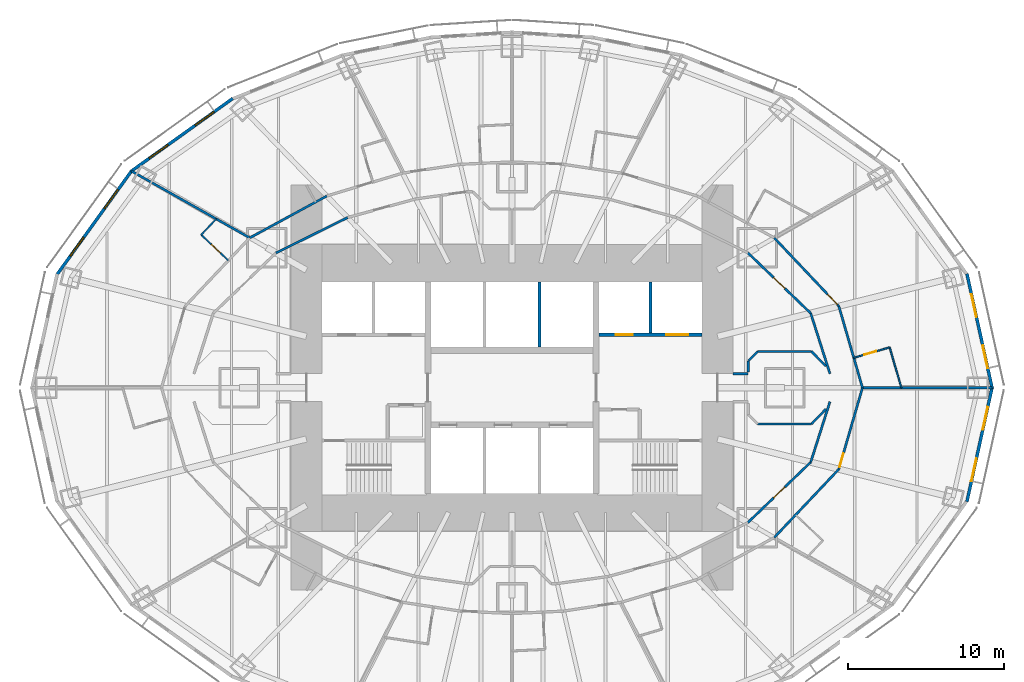
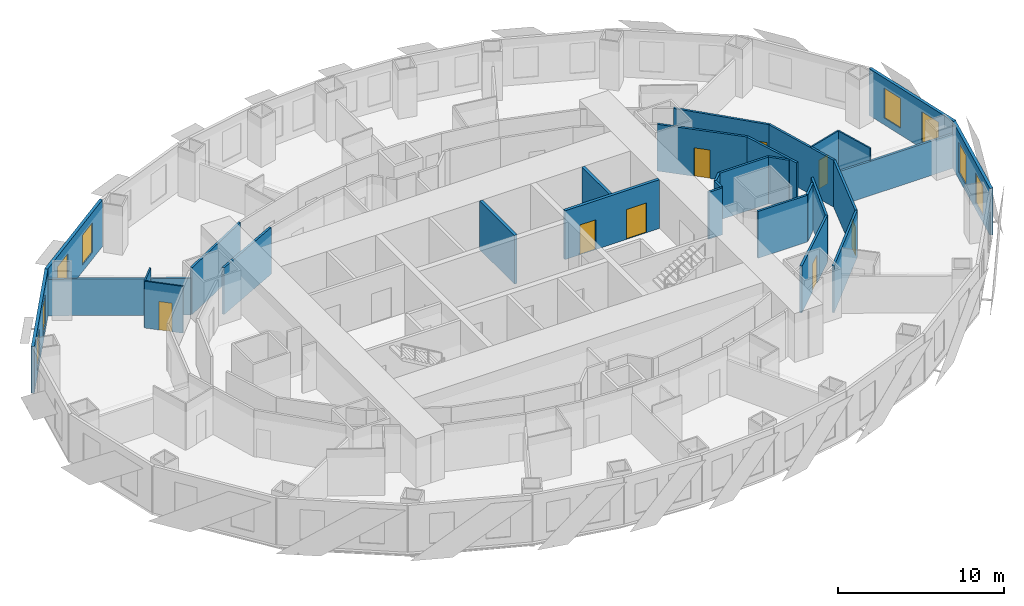
# One storey, part 8 of 15: 30 walls, 8 doors, 8 windows, 16 openings.
"""IFC4 building model written with IfcOpenShell, lengths in metres."""

from ifc_helpers import new_model, si_unit, direction, frame, frame_2d, origin, place, context, subcontext, project, spatial, rectangle, extrude, material, layer, layer_set, type_object, element, fill, save


model = new_model("IFC4")

# Units and contexts
model_context = context("Model", 3, precision=1e-05, world=origin(), true_north=direction((0.0, 1.0)))
body_context = subcontext(model_context, "Body", "Model", "MODEL_VIEW")
ifc_project = project(units=[si_unit("LENGTHUNIT", "METRE"), si_unit("AREAUNIT", "SQUARE_METRE"), si_unit("VOLUMEUNIT", "CUBIC_METRE"), si_unit("PLANEANGLEUNIT", "RADIAN"), si_unit("MASSUNIT", "GRAM", prefix="KILO")], contexts=[model_context])

# Site, building, storey
site_placement = place(None, origin())
site = spatial("IfcSite", under=ifc_project, at=site_placement, CompositionType="ELEMENT")
building_placement = place(site_placement, origin())
building = spatial("IfcBuilding", under=site, at=building_placement, Name="Lantaw Convention Tower", CompositionType="ELEMENT")
storey_placement = place(building_placement, frame((0.0, 0.0, 83.800048828125)))
storey = spatial("IfcBuildingStorey", under=building, at=storey_placement, Name="L19", CompositionType="ELEMENT", Elevation=83.800048828125)

# Wall, opening, door
ifc_material_1 = material(Name="Moisture resistant gypsum board on steel studs", Category="steel")
ifc_layer_1 = layer(ifc_material_1, 0.10009765625)
ifc_layer_set_1 = layer_set([ifc_layer_1], Name="Bathroom wall 100")
wall_type_1 = type_object("IfcWallType", Name="Bathroom wall 100", PredefinedType="PARTITIONING", material=ifc_layer_set_1)
wall_1_placement = place(storey_placement, frame((21.943359375, 1.9208984375, 0.0), z_axis=(0.0, 0.0, 1.0), x_axis=(0.960496317326, 0.278292695563, 0.0)))
wall_1 = element("IfcWall", 1, at=wall_1_placement, inside=storey, type_object=wall_type_1, Name="Bathroom wall 100", PredefinedType="PARTITIONING", context=body_context, shape_type="SweptSolid", body=[
    extrude(rectangle(XDim=2.400146484375, YDim=0.10009765625, at=frame_2d((1.2001953125, 0.0))), origin(), (0.0, 0.0, 1.0), 3.449951171875),
])
opening_1_placement = place(wall_1_placement, frame((0.699951171875, 0.0, 0.0)))
opening_1 = element("IfcOpeningElement", 2, at=opening_1_placement, cuts=wall_1, Name="Opening L19.25", PredefinedType="OPENING", context=body_context, shape_type="SweptSolid", body=[
    extrude(rectangle(XDim=0.800048828125, YDim=2.10009765625, at=frame_2d((0.39990234375, 1.050048828125))), frame((0.0, 0.06005859375, 0.0), z_axis=(0.0, -1.0, 0.0), x_axis=(1.0, 0.0, 0.0)), (0.0, 0.0, 1.0), 0.1201171875),
])
ifc_material_2 = material(Name="Timber", Category="wood")
door_type_1 = type_object("IfcDoorType", Name="Bathroom door 800", OperationType="SINGLE_SWING_LEFT", PredefinedType="DOOR", material=ifc_material_2)
door_1_placement = place(opening_1_placement, origin())
door_1 = element("IfcDoor", 3, at=door_1_placement, inside=storey, type_object=door_type_1, Name="Bathroom door", OperationType="SINGLE_SWING_LEFT", OverallHeight=2.10009765625, OverallWidth=0.800048828125, PredefinedType="DOOR", context=body_context, shape_type="SweptSolid", body=[
    extrude(rectangle(XDim=0.800048828125, YDim=2.10009765625, at=frame_2d((0.39990234375, 1.050048828125))), frame((0.0, 0.02490234375, 0.0), z_axis=(0.0, -1.0, 0.0), x_axis=(1.0, 0.0, 0.0)), (0.0, 0.0, 1.0), 0.050048828125),
])
fill(opening_1, door_1)

# Wall
wall_2_placement = place(storey_placement, frame((24.248779296875, 2.5888671875, 0.0), z_axis=(0.0, 0.0, 1.0), x_axis=(0.278260412958, -0.960505670249, 0.0)))
element("IfcWall", 4, at=wall_2_placement, inside=storey, type_object=wall_type_1, Name="Bathroom wall 100", PredefinedType="PARTITIONING", context=body_context, shape_type="SweptSolid", body=[
    extrude(rectangle(XDim=2.6953125, YDim=0.10009765625, at=frame_2d((1.34765625, 0.0))), origin(), (0.0, 0.0, 1.0), 3.449951171875),
])

# Wall, opening, door
wall_3_placement = place(storey_placement, frame((-18.209228515625, 8.166748046875, 0.0), z_axis=(0.0, 0.0, 1.0), x_axis=(-0.726567238928, 0.687095369885, 0.0)))
wall_3 = element("IfcWall", 5, at=wall_3_placement, inside=storey, type_object=wall_type_1, Name="Bathroom wall 100", PredefinedType="PARTITIONING", context=body_context, shape_type="SweptSolid", body=[
    extrude(rectangle(XDim=2.39990234375, YDim=0.10009765625, at=frame_2d((1.199951171875, 0.0))), origin(), (0.0, 0.0, 1.0), 3.449951171875),
])
opening_2_placement = place(wall_3_placement, frame((0.699951171875, 0.0, 0.0)))
opening_2 = element("IfcOpeningElement", 6, at=opening_2_placement, cuts=wall_3, Name="Opening L19.35", PredefinedType="OPENING", context=body_context, shape_type="SweptSolid", body=[
    extrude(rectangle(XDim=0.800048828125, YDim=2.10009765625, at=frame_2d((0.39990234375, 1.050048828125))), frame((0.0, 0.06005859375, 0.0), z_axis=(0.0, -1.0, 0.0), x_axis=(1.0, 0.0, 0.0)), (0.0, 0.0, 1.0), 0.1201171875),
])
door_2_placement = place(opening_2_placement, origin())
door_2 = element("IfcDoor", 7, at=door_2_placement, inside=storey, type_object=door_type_1, Name="Bathroom door", OperationType="SINGLE_SWING_LEFT", OverallHeight=2.10009765625, OverallWidth=0.800048828125, PredefinedType="DOOR", context=body_context, shape_type="SweptSolid", body=[
    extrude(rectangle(XDim=0.800048828125, YDim=2.10009765625, at=frame_2d((0.39990234375, 1.050048828125))), frame((0.0, 0.02490234375, 0.0), z_axis=(0.0, -1.0, 0.0), x_axis=(1.0, 0.0, 0.0)), (0.0, 0.0, 1.0), 0.050048828125),
])
fill(opening_2, door_2)

# Walls
wall_4_placement = place(storey_placement, frame((-19.952880859375, 9.815673828125, 0.0), z_axis=(0.0, 0.0, 1.0), x_axis=(0.687017997787, 0.726640399866, 0.0)))
element("IfcWall", 8, at=wall_4_placement, inside=storey, type_object=wall_type_1, Name="Bathroom wall 100", PredefinedType="PARTITIONING", context=body_context, shape_type="SweptSolid", body=[
    extrude(rectangle(XDim=1.417236328125, YDim=0.10009765625, at=frame_2d((0.70849609375, 0.0))), origin(), (0.0, 0.0, 1.0), 3.449951171875),
])
ifc_material_3 = material(Name="Gypsum board on steel studs, fire rated", Category="steel")
ifc_layer_2 = layer(ifc_material_3, 0.14990234375)
ifc_layer_set_2 = layer_set([ifc_layer_2], Name="Corridor wall 150 EI 60")
wall_type_2 = type_object("IfcWallType", Name="Corridor wall 150 EI 60", PredefinedType="PARTITIONING", material=ifc_layer_set_2)
wall_5_placement = place(storey_placement, frame((22.5, 0.0, 0.0), z_axis=(0.0, 0.0, 1.0), x_axis=(-0.278247435376, 0.960509429785, 0.0)))
element("IfcWall", 9, at=wall_5_placement, inside=storey, type_object=wall_type_2, Name="Corridor wall 150", PredefinedType="PARTITIONING", context=body_context, shape_type="SweptSolid", body=[
    extrude(rectangle(XDim=5.447021484375, YDim=0.14990234375, at=frame_2d((2.7236328125, 0.0))), origin(), (0.0, 0.0, 1.0), 3.449951171875),
])

# Wall, opening, door
wall_6_placement = place(storey_placement, frame((20.984375, 5.23193359375, 0.0), z_axis=(0.0, 0.0, 1.0), x_axis=(-0.687062608696, 0.726598218916, 0.0)))
wall_6 = element("IfcWall", 10, at=wall_6_placement, inside=storey, type_object=wall_type_2, Name="Corridor wall 150", PredefinedType="PARTITIONING", context=body_context, shape_type="SweptSolid", body=[
    extrude(rectangle(XDim=6.039306640625, YDim=0.14990234375, at=frame_2d((3.01953125, 0.0))), origin(), (0.0, 0.0, 1.0), 3.449951171875),
])
opening_3_placement = place(wall_6_placement, frame((0.14990234375, 0.0, 0.0)))
opening_3 = element("IfcOpeningElement", 11, at=opening_3_placement, cuts=wall_6, Name="Opening L19.26", PredefinedType="OPENING", context=body_context, shape_type="SweptSolid", body=[
    extrude(rectangle(XDim=0.89990234375, YDim=2.10009765625, at=frame_2d((0.449951171875, 1.050048828125))), frame((0.0, 0.0849609375, 0.0), z_axis=(0.0, -1.0, 0.0), x_axis=(1.0, 0.0, 0.0)), (0.0, 0.0, 1.0), 0.169921875),
])
ifc_material_4 = material(Name="Steel, fire rated", Category="steel")
door_type_2 = type_object("IfcDoorType", Name="Guest room entrance door FD30S", OperationType="SINGLE_SWING_LEFT", PredefinedType="DOOR", material=ifc_material_4)
door_3_placement = place(opening_3_placement, origin())
door_3 = element("IfcDoor", 12, at=door_3_placement, inside=storey, type_object=door_type_2, Name="Junior suite entrance door", OperationType="SINGLE_SWING_LEFT", OverallHeight=2.10009765625, OverallWidth=0.89990234375, PredefinedType="DOOR", context=body_context, shape_type="SweptSolid", body=[
    extrude(rectangle(XDim=0.89990234375, YDim=2.10009765625, at=frame_2d((0.449951171875, 1.050048828125))), frame((0.0, 0.02490234375, 0.0), z_axis=(0.0, -1.0, 0.0), x_axis=(1.0, 0.0, 0.0)), (0.0, 0.0, 1.0), 0.050048828125),
])
fill(opening_3, door_3)

# Walls
wall_7_placement = place(storey_placement, frame((-11.888427734375, 12.310791015625, 0.0), z_axis=(0.0, 0.0, 1.0), x_axis=(-0.878450059298, -0.477834169267, 0.0)))
element("IfcWall", 13, at=wall_7_placement, inside=storey, type_object=wall_type_2, Name="Corridor wall 150", PredefinedType="PARTITIONING", context=body_context, shape_type="SweptSolid", body=[
    extrude(rectangle(XDim=5.630859375, YDim=0.14990234375, at=frame_2d((2.8154296875, 0.0))), origin(), (0.0, 0.0, 1.0), 3.449951171875),
])
wall_8_placement = place(storey_placement, frame((16.8349609375, -9.6201171875, 0.0), z_axis=(0.0, 0.0, 1.0), x_axis=(0.687062608696, 0.726598218916, 0.0)))
element("IfcWall", 14, at=wall_8_placement, inside=storey, type_object=wall_type_2, Name="Corridor wall 150", PredefinedType="PARTITIONING", context=body_context, shape_type="SweptSolid", body=[
    extrude(rectangle(XDim=6.039306640625, YDim=0.14990234375, at=frame_2d((3.01953125, 0.0))), origin(), (0.0, 0.0, 1.0), 3.449951171875),
])

# Wall, opening, door
wall_9_placement = place(storey_placement, frame((20.984375, -5.23193359375, 0.0), z_axis=(0.0, 0.0, 1.0), x_axis=(0.278247435376, 0.960509429785, 0.0)))
wall_9 = element("IfcWall", 15, at=wall_9_placement, inside=storey, type_object=wall_type_2, Name="Corridor wall 150", PredefinedType="PARTITIONING", context=body_context, shape_type="SweptSolid", body=[
    extrude(rectangle(XDim=5.447021484375, YDim=0.14990234375, at=frame_2d((2.7236328125, 0.0))), origin(), (0.0, 0.0, 1.0), 3.449951171875),
])
opening_4_placement = place(wall_9_placement, frame((0.14990234375, 0.0, 0.0)))
opening_4 = element("IfcOpeningElement", 16, at=opening_4_placement, cuts=wall_9, Name="Opening L19.48", PredefinedType="OPENING", context=body_context, shape_type="SweptSolid", body=[
    extrude(rectangle(XDim=0.89990234375, YDim=2.10009765625, at=frame_2d((0.449951171875, 1.050048828125))), frame((0.0, 0.0849609375, 0.0), z_axis=(0.0, -1.0, 0.0), x_axis=(1.0, 0.0, 0.0)), (0.0, 0.0, 1.0), 0.169921875),
])
door_4_placement = place(opening_4_placement, origin())
door_4 = element("IfcDoor", 17, at=door_4_placement, inside=storey, type_object=door_type_2, Name="Junior suite entrance door", OperationType="SINGLE_SWING_LEFT", OverallHeight=2.10009765625, OverallWidth=0.89990234375, PredefinedType="DOOR", context=body_context, shape_type="SweptSolid", body=[
    extrude(rectangle(XDim=0.89990234375, YDim=2.10009765625, at=frame_2d((0.449951171875, 1.050048828125))), frame((0.0, 0.02490234375, 0.0), z_axis=(0.0, -1.0, 0.0), x_axis=(1.0, 0.0, 0.0)), (0.0, 0.0, 1.0), 0.050048828125),
])
fill(opening_4, door_4)

# Wall
wall_10_placement = place(storey_placement, frame((20.413330078125, 0.89990234375, 0.0), z_axis=(0.0, 0.0, 1.0), x_axis=(-0.303505448228, 0.952829702988, 0.0)))
element("IfcWall", 18, at=wall_10_placement, inside=storey, type_object=wall_type_2, Name="Corridor wall 150", PredefinedType="PARTITIONING", context=body_context, shape_type="SweptSolid", body=[
    extrude(rectangle(XDim=4.073486328125, YDim=0.14990234375, at=frame_2d((2.03662109375, 0.0))), origin(), (0.0, 0.0, 1.0), 3.449951171875),
])

# Wall, opening, door
wall_11_placement = place(storey_placement, frame((19.177001953125, 4.78125, 0.0), z_axis=(0.0, 0.0, 1.0), x_axis=(-0.720837261072, 0.693104352209, 0.0)))
wall_11 = element("IfcWall", 19, at=wall_11_placement, inside=storey, type_object=wall_type_2, Name="Corridor wall 150", PredefinedType="PARTITIONING", context=body_context, shape_type="SweptSolid", body=[
    extrude(rectangle(XDim=5.590087890625, YDim=0.14990234375, at=frame_2d((2.794921875, 0.0))), origin(), (0.0, 0.0, 1.0), 3.449951171875),
])
opening_5_placement = place(wall_11_placement, frame((2.294921875, 0.0, 0.0)))
opening_5 = element("IfcOpeningElement", 20, at=opening_5_placement, cuts=wall_11, Name="Opening L19.17", PredefinedType="OPENING", context=body_context, shape_type="SweptSolid", body=[
    extrude(rectangle(XDim=1.0, YDim=2.10009765625, at=frame_2d((0.5, 1.050048828125))), frame((0.0, 0.0849609375, 0.0), z_axis=(0.0, -1.0, 0.0), x_axis=(1.0, 0.0, 0.0)), (0.0, 0.0, 1.0), 0.169921875),
])
door_type_3 = type_object("IfcDoorType", Name="Service door 1000 FD30", OperationType="SINGLE_SWING_LEFT", PredefinedType="DOOR", material=ifc_material_4)
door_5_placement = place(opening_5_placement, origin())
door_5 = element("IfcDoor", 21, at=door_5_placement, inside=storey, type_object=door_type_3, Name="Linen store door", OperationType="SINGLE_SWING_LEFT", OverallHeight=2.10009765625, OverallWidth=1.0, PredefinedType="DOOR", context=body_context, shape_type="SweptSolid", body=[
    extrude(rectangle(XDim=1.0, YDim=2.10009765625, at=frame_2d((0.5, 1.050048828125))), frame((0.0, 0.02490234375, 0.0), z_axis=(0.0, -1.0, 0.0), x_axis=(1.0, 0.0, 0.0)), (0.0, 0.0, 1.0), 0.050048828125),
])
fill(opening_5, door_5)

# Wall
wall_12_placement = place(storey_placement, frame((-10.55126953125, 10.92626953125, 0.0), z_axis=(0.0, 0.0, 1.0), x_axis=(-0.89656943448, -0.442903205177, 0.0)))
element("IfcWall", 22, at=wall_12_placement, inside=storey, type_object=wall_type_2, Name="Corridor wall 150", PredefinedType="PARTITIONING", context=body_context, shape_type="SweptSolid", body=[
    extrude(rectangle(XDim=5.12646484375, YDim=0.14990234375, at=frame_2d((2.563232421875, 0.0))), origin(), (0.0, 0.0, 1.0), 3.449951171875),
])

# Wall, opening, door
wall_13_placement = place(storey_placement, frame((15.1474609375, -8.65576171875, 0.0), z_axis=(0.0, 0.0, 1.0), x_axis=(0.720837261072, 0.693104352209, 0.0)))
wall_13 = element("IfcWall", 23, at=wall_13_placement, inside=storey, type_object=wall_type_2, Name="Corridor wall 150", PredefinedType="PARTITIONING", context=body_context, shape_type="SweptSolid", body=[
    extrude(rectangle(XDim=5.590087890625, YDim=0.14990234375, at=frame_2d((2.794921875, 0.0))), origin(), (0.0, 0.0, 1.0), 3.449951171875),
])
opening_6_placement = place(wall_13_placement, frame((2.294921875, 0.0, 0.0)))
opening_6 = element("IfcOpeningElement", 24, at=opening_6_placement, cuts=wall_13, Name="Opening L19.24", PredefinedType="OPENING", context=body_context, shape_type="SweptSolid", body=[
    extrude(rectangle(XDim=1.0, YDim=2.10009765625, at=frame_2d((0.5, 1.050048828125))), frame((0.0, 0.0849609375, 0.0), z_axis=(0.0, -1.0, 0.0), x_axis=(1.0, 0.0, 0.0)), (0.0, 0.0, 1.0), 0.169921875),
])
door_6_placement = place(opening_6_placement, origin())
door_6 = element("IfcDoor", 25, at=door_6_placement, inside=storey, type_object=door_type_3, Name="Room service pantry door", OperationType="SINGLE_SWING_LEFT", OverallHeight=2.10009765625, OverallWidth=1.0, PredefinedType="DOOR", context=body_context, shape_type="SweptSolid", body=[
    extrude(rectangle(XDim=1.0, YDim=2.10009765625, at=frame_2d((0.5, 1.050048828125))), frame((0.0, 0.02490234375, 0.0), z_axis=(0.0, -1.0, 0.0), x_axis=(1.0, 0.0, 0.0)), (0.0, 0.0, 1.0), 0.050048828125),
])
fill(opening_6, door_6)

# Walls
wall_14_placement = place(storey_placement, frame((19.177001953125, -4.78125, 0.0), z_axis=(0.0, 0.0, 1.0), x_axis=(0.303505448228, 0.952829702988, 0.0)))
element("IfcWall", 26, at=wall_14_placement, inside=storey, type_object=wall_type_2, Name="Corridor wall 150", PredefinedType="PARTITIONING", context=body_context, shape_type="SweptSolid", body=[
    extrude(rectangle(XDim=4.073486328125, YDim=0.14990234375, at=frame_2d((2.03662109375, 0.0))), origin(), (0.0, 0.0, 1.0), 3.449951171875),
])
wall_15_placement = place(storey_placement, frame((14.199951171875, 0.89990234375, 0.0), z_axis=(0.0, 0.0, 1.0), x_axis=(1.0, 0.0, 0.0)))
element("IfcWall", 27, at=wall_15_placement, inside=storey, type_object=wall_type_2, Name="Corridor wall 150", PredefinedType="PARTITIONING", context=body_context, shape_type="SweptSolid", body=[
    extrude(rectangle(XDim=0.965087890625, YDim=0.14990234375, at=frame_2d((0.482421875, 0.0))), origin(), (0.0, 0.0, 1.0), 3.449951171875),
])
wall_16_placement = place(storey_placement, frame((15.175048828125, 1.003173828125, 0.0), z_axis=(0.0, 0.0, 1.0), x_axis=(0.0, 1.0, 0.0)))
element("IfcWall", 28, at=wall_16_placement, inside=storey, type_object=wall_type_2, Name="Corridor wall 150", PredefinedType="PARTITIONING", context=body_context, shape_type="SweptSolid", body=[
    extrude(rectangle(XDim=0.721435546875, YDim=0.14990234375, at=frame_2d((0.36083984375, 0.0))), origin(), (0.0, 0.0, 1.0), 3.449951171875),
])
wall_17_placement = place(storey_placement, frame((15.175048828125, 1.724609375, 0.0), z_axis=(0.0, 0.0, 1.0), x_axis=(0.707106781187, 0.707106781187, 0.0)))
element("IfcWall", 29, at=wall_17_placement, inside=storey, type_object=wall_type_2, Name="Corridor wall 150", PredefinedType="PARTITIONING", context=body_context, shape_type="SweptSolid", body=[
    extrude(rectangle(XDim=0.84912109375, YDim=0.14990234375, at=frame_2d((0.424560546875, 0.0))), origin(), (0.0, 0.0, 1.0), 3.449951171875),
])
wall_18_placement = place(storey_placement, frame((15.775390625, 2.324951171875, 0.0), z_axis=(0.0, 0.0, 1.0), x_axis=(1.0, 0.0, 0.0)))
element("IfcWall", 30, at=wall_18_placement, inside=storey, type_object=wall_type_2, Name="Corridor wall 150", PredefinedType="PARTITIONING", context=body_context, shape_type="SweptSolid", body=[
    extrude(rectangle(XDim=3.44921875, YDim=0.14990234375, at=frame_2d((1.724609375, 0.0))), origin(), (0.0, 0.0, 1.0), 3.449951171875),
])
for number, where, z_axis, x_axis, name in (
    (31, (19.224609375, 2.324951171875, 0.0), (0.0, 0.0, 1.0), (0.700694560486, -0.713461374501, 0.0), "Corridor wall 150"),
    (32, (20.149169921875, -1.383544921875, 0.0), (0.0, 0.0, 1.0), (-0.700694560486, -0.713461374501, 0.0), "Corridor wall 150"),
):
    element("IfcWall", number, at=place(storey_placement, frame(where, z_axis=z_axis, x_axis=x_axis)), inside=storey, type_object=wall_type_2, Name=name, PredefinedType="PARTITIONING", context=body_context, shape_type="SweptSolid", body=[
        extrude(rectangle(XDim=1.319580078125, YDim=0.14990234375, at=frame_2d((0.65966796875, 0.0))), origin(), (0.0, 0.0, 1.0), 3.449951171875),
    ])
wall_19_placement = place(storey_placement, frame((19.224609375, -2.324951171875, 0.0), z_axis=(0.0, 0.0, 1.0), x_axis=(-1.0, 0.0, 0.0)))
element("IfcWall", 33, at=wall_19_placement, inside=storey, type_object=wall_type_2, Name="Corridor wall 150", PredefinedType="PARTITIONING", context=body_context, shape_type="SweptSolid", body=[
    extrude(rectangle(XDim=3.44921875, YDim=0.14990234375, at=frame_2d((1.724609375, 0.0))), origin(), (0.0, 0.0, 1.0), 3.449951171875),
])

# Wall, openings, windows
ifc_material_5 = material(Name="Insulated aluminium panel on steel frame", Category="steel")
ifc_layer_3 = layer(ifc_material_5, 0.199951171875)
ifc_layer_set_3 = layer_set([ifc_layer_3], Name="External wall 200")
wall_type_3 = type_object("IfcWallType", Name="External wall 200", PredefinedType="SOLIDWALL", material=ifc_layer_set_3)
wall_20_placement = place(storey_placement, frame((30.83544921875, -0.06689453125, 0.0), z_axis=(0.0, 0.0, 1.0), x_axis=(-0.215238065514, 0.976561608478, 0.0)))
wall_20 = element("IfcWall", 34, at=wall_20_placement, inside=storey, type_object=wall_type_3, Name="Facade panel wall", PredefinedType="SOLIDWALL", context=body_context, shape_type="SweptSolid", body=[
    extrude(rectangle(XDim=7.562255859375, YDim=0.199951171875, at=frame_2d((3.78125, 0.0))), origin(), (0.0, 0.0, 1.0), 3.449951171875),
])
opening_7_placement = place(wall_20_placement, frame((1.340576171875, 0.0, 0.5)))
opening_7 = element("IfcOpeningElement", 35, at=opening_7_placement, cuts=wall_20, Name="Opening W2", PredefinedType="OPENING", context=body_context, shape_type="SweptSolid", body=[
    extrude(rectangle(XDim=1.5, YDim=2.199951171875, at=frame_2d((0.75, 1.10009765625))), frame((0.0, 0.10986328125, 0.0), z_axis=(0.0, -1.0, 0.0), x_axis=(1.0, 0.0, 0.0)), (0.0, 0.0, 1.0), 0.219970703125),
])
opening_8_placement = place(wall_20_placement, frame((4.7216796875, 0.0, 0.5)))
opening_8 = element("IfcOpeningElement", 36, at=opening_8_placement, cuts=wall_20, Name="Opening W2", PredefinedType="OPENING", context=body_context, shape_type="SweptSolid", body=[
    extrude(rectangle(XDim=1.5, YDim=2.199951171875, at=frame_2d((0.75, 1.10009765625))), frame((0.0, 0.10986328125, 0.0), z_axis=(0.0, -1.0, 0.0), x_axis=(1.0, 0.0, 0.0)), (0.0, 0.0, 1.0), 0.219970703125),
])
ifc_material_6 = material(Name="Aluminium frame, clear insulating glass", Category="aluminium")
window_type = type_object("IfcWindowType", Name="Suite window 1500x2200", PartitioningType="SINGLE_PANEL", PredefinedType="WINDOW", material=ifc_material_6)
window_1_placement = place(opening_7_placement, origin())
window_1 = element("IfcWindow", 37, at=window_1_placement, inside=storey, type_object=window_type, Name="Guest room window", OverallHeight=2.199951171875, OverallWidth=1.5, PartitioningType="SINGLE_PANEL", PredefinedType="WINDOW", context=body_context, shape_type="SweptSolid", body=[
    extrude(rectangle(XDim=1.5, YDim=2.199951171875, at=frame_2d((0.75, 1.10009765625))), frame((0.0, 0.030029296875, 0.0), z_axis=(0.0, -1.0, 0.0), x_axis=(1.0, 0.0, 0.0)), (0.0, 0.0, 1.0), 0.06005859375),
])
fill(opening_7, window_1)
window_2_placement = place(opening_8_placement, origin())
window_2 = element("IfcWindow", 38, at=window_2_placement, inside=storey, type_object=window_type, Name="Guest room window", OverallHeight=2.199951171875, OverallWidth=1.5, PartitioningType="SINGLE_PANEL", PredefinedType="WINDOW", context=body_context, shape_type="SweptSolid", body=[
    extrude(rectangle(XDim=1.5, YDim=2.199951171875, at=frame_2d((0.75, 1.10009765625))), frame((0.0, 0.030029296875, 0.0), z_axis=(0.0, -1.0, 0.0), x_axis=(1.0, 0.0, 0.0)), (0.0, 0.0, 1.0), 0.06005859375),
])
fill(opening_8, window_2)

wall_21_placement = place(storey_placement, frame((-17.9287109375, 18.57177734375, 0.0), z_axis=(0.0, 0.0, 1.0), x_axis=(-0.812791321576, -0.582554948112, 0.0)))
wall_21 = element("IfcWall", 39, at=wall_21_placement, inside=storey, type_object=wall_type_3, Name="Facade panel wall", PredefinedType="SOLIDWALL", context=body_context, shape_type="SweptSolid", body=[
    extrude(rectangle(XDim=8.063232421875, YDim=0.199951171875, at=frame_2d((4.03173828125, 0.0))), origin(), (0.0, 0.0, 1.0), 3.449951171875),
])
opening_9_placement = place(wall_21_placement, frame((1.4658203125, 0.0, 0.5)))
opening_9 = element("IfcOpeningElement", 40, at=opening_9_placement, cuts=wall_21, Name="Opening W2", PredefinedType="OPENING", context=body_context, shape_type="SweptSolid", body=[
    extrude(rectangle(XDim=1.5, YDim=2.199951171875, at=frame_2d((0.75, 1.10009765625))), frame((0.0, 0.10986328125, 0.0), z_axis=(0.0, -1.0, 0.0), x_axis=(1.0, 0.0, 0.0)), (0.0, 0.0, 1.0), 0.219970703125),
])
opening_10_placement = place(wall_21_placement, frame((5.097412109375, 0.0, 0.5)))
opening_10 = element("IfcOpeningElement", 41, at=opening_10_placement, cuts=wall_21, Name="Opening W2", PredefinedType="OPENING", context=body_context, shape_type="SweptSolid", body=[
    extrude(rectangle(XDim=1.5, YDim=2.199951171875, at=frame_2d((0.75, 1.10009765625))), frame((0.0, 0.10986328125, 0.0), z_axis=(0.0, -1.0, 0.0), x_axis=(1.0, 0.0, 0.0)), (0.0, 0.0, 1.0), 0.219970703125),
])
window_3_placement = place(opening_9_placement, origin())
window_3 = element("IfcWindow", 42, at=window_3_placement, inside=storey, type_object=window_type, Name="Guest room window", OverallHeight=2.199951171875, OverallWidth=1.5, PartitioningType="SINGLE_PANEL", PredefinedType="WINDOW", context=body_context, shape_type="SweptSolid", body=[
    extrude(rectangle(XDim=1.5, YDim=2.199951171875, at=frame_2d((0.75, 1.10009765625))), frame((0.0, 0.030029296875, 0.0), z_axis=(0.0, -1.0, 0.0), x_axis=(1.0, 0.0, 0.0)), (0.0, 0.0, 1.0), 0.06005859375),
])
fill(opening_9, window_3)
window_4_placement = place(opening_10_placement, origin())
window_4 = element("IfcWindow", 43, at=window_4_placement, inside=storey, type_object=window_type, Name="Guest room window", OverallHeight=2.199951171875, OverallWidth=1.5, PartitioningType="SINGLE_PANEL", PredefinedType="WINDOW", context=body_context, shape_type="SweptSolid", body=[
    extrude(rectangle(XDim=1.5, YDim=2.199951171875, at=frame_2d((0.75, 1.10009765625))), frame((0.0, 0.030029296875, 0.0), z_axis=(0.0, -1.0, 0.0), x_axis=(1.0, 0.0, 0.0)), (0.0, 0.0, 1.0), 0.06005859375),
])
fill(opening_10, window_4)

wall_22_placement = place(storey_placement, frame((-24.400390625, 13.95654296875, 0.0), z_axis=(0.0, 0.0, 1.0), x_axis=(-0.583937613703, -0.811798536155, 0.0)))
wall_22 = element("IfcWall", 44, at=wall_22_placement, inside=storey, type_object=wall_type_3, Name="Facade panel wall", PredefinedType="SOLIDWALL", context=body_context, shape_type="SweptSolid", body=[
    extrude(rectangle(XDim=8.322998046875, YDim=0.199951171875, at=frame_2d((4.16162109375, 0.0))), origin(), (0.0, 0.0, 1.0), 3.449951171875),
])
opening_11_placement = place(wall_22_placement, frame((1.53076171875, 0.0, 0.5)))
opening_11 = element("IfcOpeningElement", 45, at=opening_11_placement, cuts=wall_22, Name="Opening W2", PredefinedType="OPENING", context=body_context, shape_type="SweptSolid", body=[
    extrude(rectangle(XDim=1.5, YDim=2.199951171875, at=frame_2d((0.75, 1.10009765625))), frame((0.0, 0.10986328125, 0.0), z_axis=(0.0, -1.0, 0.0), x_axis=(1.0, 0.0, 0.0)), (0.0, 0.0, 1.0), 0.219970703125),
])
opening_12_placement = place(wall_22_placement, frame((5.292236328125, 0.0, 0.5)))
opening_12 = element("IfcOpeningElement", 46, at=opening_12_placement, cuts=wall_22, Name="Opening W2", PredefinedType="OPENING", context=body_context, shape_type="SweptSolid", body=[
    extrude(rectangle(XDim=1.5, YDim=2.199951171875, at=frame_2d((0.75, 1.10009765625))), frame((0.0, 0.10986328125, 0.0), z_axis=(0.0, -1.0, 0.0), x_axis=(1.0, 0.0, 0.0)), (0.0, 0.0, 1.0), 0.219970703125),
])
window_5_placement = place(opening_11_placement, origin())
window_5 = element("IfcWindow", 47, at=window_5_placement, inside=storey, type_object=window_type, Name="Guest room window", OverallHeight=2.199951171875, OverallWidth=1.5, PartitioningType="SINGLE_PANEL", PredefinedType="WINDOW", context=body_context, shape_type="SweptSolid", body=[
    extrude(rectangle(XDim=1.5, YDim=2.199951171875, at=frame_2d((0.75, 1.10009765625))), frame((0.0, 0.030029296875, 0.0), z_axis=(0.0, -1.0, 0.0), x_axis=(1.0, 0.0, 0.0)), (0.0, 0.0, 1.0), 0.06005859375),
])
fill(opening_11, window_5)
window_6_placement = place(opening_12_placement, origin())
window_6 = element("IfcWindow", 48, at=window_6_placement, inside=storey, type_object=window_type, Name="Guest room window", OverallHeight=2.199951171875, OverallWidth=1.5, PartitioningType="SINGLE_PANEL", PredefinedType="WINDOW", context=body_context, shape_type="SweptSolid", body=[
    extrude(rectangle(XDim=1.5, YDim=2.199951171875, at=frame_2d((0.75, 1.10009765625))), frame((0.0, 0.030029296875, 0.0), z_axis=(0.0, -1.0, 0.0), x_axis=(1.0, 0.0, 0.0)), (0.0, 0.0, 1.0), 0.06005859375),
])
fill(opening_12, window_6)

wall_23_placement = place(storey_placement, frame((29.207763671875, -7.318115234375, 0.0), z_axis=(0.0, 0.0, 1.0), x_axis=(0.215238065514, 0.976561608478, 0.0)))
wall_23 = element("IfcWall", 49, at=wall_23_placement, inside=storey, type_object=wall_type_3, Name="Facade panel wall", PredefinedType="SOLIDWALL", context=body_context, shape_type="SweptSolid", body=[
    extrude(rectangle(XDim=7.562255859375, YDim=0.199951171875, at=frame_2d((3.78125, 0.0))), origin(), (0.0, 0.0, 1.0), 3.449951171875),
])
opening_13_placement = place(wall_23_placement, frame((1.340576171875, 0.0, 0.5)))
opening_13 = element("IfcOpeningElement", 50, at=opening_13_placement, cuts=wall_23, Name="Opening W2", PredefinedType="OPENING", context=body_context, shape_type="SweptSolid", body=[
    extrude(rectangle(XDim=1.5, YDim=2.199951171875, at=frame_2d((0.75, 1.10009765625))), frame((0.0, 0.10986328125, 0.0), z_axis=(0.0, -1.0, 0.0), x_axis=(1.0, 0.0, 0.0)), (0.0, 0.0, 1.0), 0.219970703125),
])
opening_14_placement = place(wall_23_placement, frame((4.7216796875, 0.0, 0.5)))
opening_14 = element("IfcOpeningElement", 51, at=opening_14_placement, cuts=wall_23, Name="Opening W2", PredefinedType="OPENING", context=body_context, shape_type="SweptSolid", body=[
    extrude(rectangle(XDim=1.5, YDim=2.199951171875, at=frame_2d((0.75, 1.10009765625))), frame((0.0, 0.10986328125, 0.0), z_axis=(0.0, -1.0, 0.0), x_axis=(1.0, 0.0, 0.0)), (0.0, 0.0, 1.0), 0.219970703125),
])
window_7_placement = place(opening_13_placement, origin())
window_7 = element("IfcWindow", 52, at=window_7_placement, inside=storey, type_object=window_type, Name="Guest room window", OverallHeight=2.199951171875, OverallWidth=1.5, PartitioningType="SINGLE_PANEL", PredefinedType="WINDOW", context=body_context, shape_type="SweptSolid", body=[
    extrude(rectangle(XDim=1.5, YDim=2.199951171875, at=frame_2d((0.75, 1.10009765625))), frame((0.0, 0.030029296875, 0.0), z_axis=(0.0, -1.0, 0.0), x_axis=(1.0, 0.0, 0.0)), (0.0, 0.0, 1.0), 0.06005859375),
])
fill(opening_13, window_7)
window_8_placement = place(opening_14_placement, origin())
window_8 = element("IfcWindow", 53, at=window_8_placement, inside=storey, type_object=window_type, Name="Guest room window", OverallHeight=2.199951171875, OverallWidth=1.5, PartitioningType="SINGLE_PANEL", PredefinedType="WINDOW", context=body_context, shape_type="SweptSolid", body=[
    extrude(rectangle(XDim=1.5, YDim=2.199951171875, at=frame_2d((0.75, 1.10009765625))), frame((0.0, 0.030029296875, 0.0), z_axis=(0.0, -1.0, 0.0), x_axis=(1.0, 0.0, 0.0)), (0.0, 0.0, 1.0), 0.06005859375),
])
fill(opening_14, window_8)

# Walls
ifc_material_7 = material(Name="Gypsum board on steel studs, acoustic", Category="steel")
ifc_layer_4 = layer(ifc_material_7, 0.14990234375)
ifc_layer_set_4 = layer_set([ifc_layer_4], Name="Guest room party wall 150")
wall_type_4 = type_object("IfcWallType", Name="Guest room party wall 150", PredefinedType="PARTITIONING", material=ifc_layer_set_4)
wall_24_placement = place(storey_placement, frame((30.82080078125, 0.0, 0.0), z_axis=(0.0, 0.0, 1.0), x_axis=(-1.0, 0.0, 0.0)))
element("IfcWall", 54, at=wall_24_placement, inside=storey, type_object=wall_type_4, Name="Guest room party wall 150", PredefinedType="PARTITIONING", context=body_context, shape_type="SweptSolid", body=[
    extrude(rectangle(XDim=8.32080078125, YDim=0.14990234375, at=frame_2d((4.160400390625, 0.0))), origin(), (0.0, 0.0, 1.0), 2.52783203125),
])
wall_25_placement = place(storey_placement, frame((-24.434814453125, 13.90869140625, 0.0), z_axis=(0.0, 0.0, 1.0), x_axis=(0.87090601027, -0.491449612143, 0.0)))
element("IfcWall", 55, at=wall_25_placement, inside=storey, type_object=wall_type_4, Name="Guest room party wall 150", PredefinedType="PARTITIONING", context=body_context, shape_type="SweptSolid", body=[
    extrude(rectangle(XDim=8.726318359375, YDim=0.14990234375, at=frame_2d((4.36328125, 0.0))), origin(), (0.0, 0.0, 1.0), 2.693115234375),
])
ifc_material_8 = material(Name="Concrete blockwork, fire rated", Category="masonry")
ifc_layer_5 = layer(ifc_material_8, 0.199951171875)
ifc_layer_set_5 = layer_set([ifc_layer_5], Name="Shaft wall 200")
wall_type_5 = type_object("IfcWallType", Name="Shaft wall 200", PredefinedType="SOLIDWALL", material=ifc_layer_set_5)
wall_26_placement = place(storey_placement, frame((1.7666015625, 2.60009765625, 0.0), z_axis=(0.0, 0.0, 1.0), x_axis=(0.0, 1.0, 0.0)))
element("IfcWall", 56, at=wall_26_placement, inside=storey, type_object=wall_type_5, Name="Shaft wall DN2", PredefinedType="SOLIDWALL", context=body_context, shape_type="SweptSolid", body=[
    extrude(rectangle(XDim=4.199951171875, YDim=0.199951171875, at=frame_2d((2.10009765625, 0.0))), origin(), (0.0, 0.0, 1.0), 3.599853515625),
])

# Wall, openings, doors
wall_27_placement = place(storey_placement, frame((12.199951171875, 3.39990234375, 0.0), z_axis=(0.0, 0.0, 1.0), x_axis=(-1.0, 0.0, 0.0)))
wall_27 = element("IfcWall", 57, at=wall_27_placement, inside=storey, type_object=wall_type_5, Name="Shaft wall EN", PredefinedType="SOLIDWALL", context=body_context, shape_type="SweptSolid", body=[
    extrude(rectangle(XDim=6.599853515625, YDim=0.199951171875, at=frame_2d((3.2998046875, 0.0))), origin(), (0.0, 0.0, 1.0), 3.599853515625),
])
opening_15_placement = place(wall_27_placement, frame((4.449951171875, 0.0, 0.0)))
opening_15 = element("IfcOpeningElement", 58, at=opening_15_placement, cuts=wall_27, Name="Opening L19.14", PredefinedType="OPENING", context=body_context, shape_type="SweptSolid", body=[
    extrude(rectangle(XDim=1.10009765625, YDim=2.199951171875, at=frame_2d((0.550048828125, 1.10009765625))), frame((0.0, 0.10986328125, 0.0), z_axis=(0.0, -1.0, 0.0), x_axis=(1.0, 0.0, 0.0)), (0.0, 0.0, 1.0), 0.219970703125),
])
opening_16_placement = place(wall_27_placement, frame((0.89990234375, 0.0, 0.0)))
opening_16 = element("IfcOpeningElement", 59, at=opening_16_placement, cuts=wall_27, Name="Opening L19.15", PredefinedType="OPENING", context=body_context, shape_type="SweptSolid", body=[
    extrude(rectangle(XDim=1.39990234375, YDim=2.199951171875, at=frame_2d((0.699951171875, 1.10009765625))), frame((0.0, 0.10986328125, 0.0), z_axis=(0.0, -1.0, 0.0), x_axis=(1.0, 0.0, 0.0)), (0.0, 0.0, 1.0), 0.219970703125),
])
ifc_material_9 = material(Name="Stainless steel", Category="steel")
door_type_4 = type_object("IfcDoorType", Name="Lift landing door 1100", OperationType="DOUBLE_DOOR_SLIDING", PredefinedType="DOOR", material=ifc_material_9)
door_7_placement = place(opening_15_placement, origin())
door_7 = element("IfcDoor", 60, at=door_7_placement, inside=storey, type_object=door_type_4, Name="Lift landing door FF2", OperationType="DOUBLE_DOOR_SLIDING", OverallHeight=2.199951171875, OverallWidth=1.10009765625, PredefinedType="DOOR", context=body_context, shape_type="SweptSolid", body=[
    extrude(rectangle(XDim=1.10009765625, YDim=2.199951171875, at=frame_2d((0.550048828125, 1.10009765625))), frame((0.0, 0.02490234375, 0.0), z_axis=(0.0, -1.0, 0.0), x_axis=(1.0, 0.0, 0.0)), (0.0, 0.0, 1.0), 0.050048828125),
])
fill(opening_15, door_7)
door_type_5 = type_object("IfcDoorType", Name="Lift landing door 1400", OperationType="DOUBLE_DOOR_SLIDING", PredefinedType="DOOR", material=ifc_material_9)
door_8_placement = place(opening_16_placement, origin())
door_8 = element("IfcDoor", 61, at=door_8_placement, inside=storey, type_object=door_type_5, Name="Lift landing door SV2", OperationType="DOUBLE_DOOR_SLIDING", OverallHeight=2.199951171875, OverallWidth=1.39990234375, PredefinedType="DOOR", context=body_context, shape_type="SweptSolid", body=[
    extrude(rectangle(XDim=1.39990234375, YDim=2.199951171875, at=frame_2d((0.699951171875, 1.10009765625))), frame((0.0, 0.02490234375, 0.0), z_axis=(0.0, -1.0, 0.0), x_axis=(1.0, 0.0, 0.0)), (0.0, 0.0, 1.0), 0.050048828125),
])
fill(opening_16, door_8)

# Wall
wall_28_placement = place(storey_placement, frame((8.89990234375, 3.5, 0.0), z_axis=(0.0, 0.0, 1.0), x_axis=(0.0, 1.0, 0.0)))
element("IfcWall", 62, at=wall_28_placement, inside=storey, type_object=wall_type_5, Name="Shaft wall ED", PredefinedType="SOLIDWALL", context=body_context, shape_type="SweptSolid", body=[
    extrude(rectangle(XDim=3.300048828125, YDim=0.199951171875, at=frame_2d((1.64990234375, 0.0))), origin(), (0.0, 0.0, 1.0), 3.599853515625),
])

save(model, "model.ifc")
